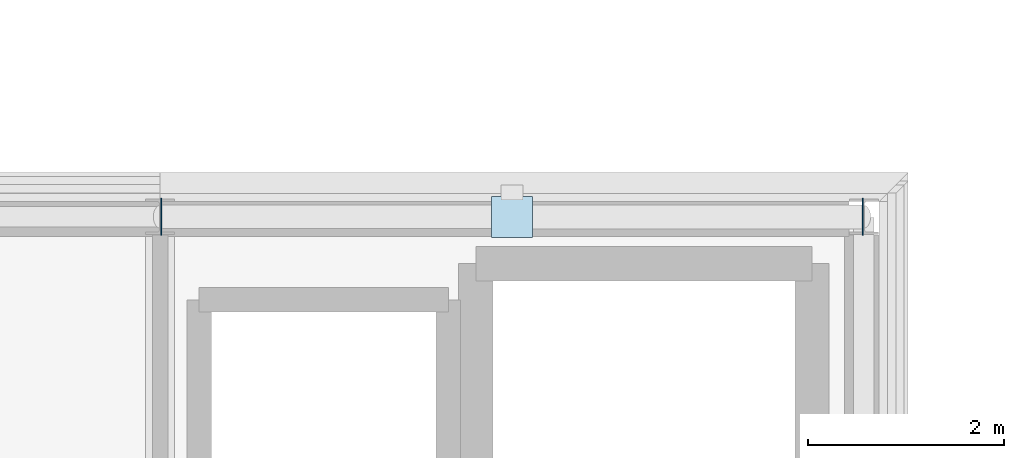
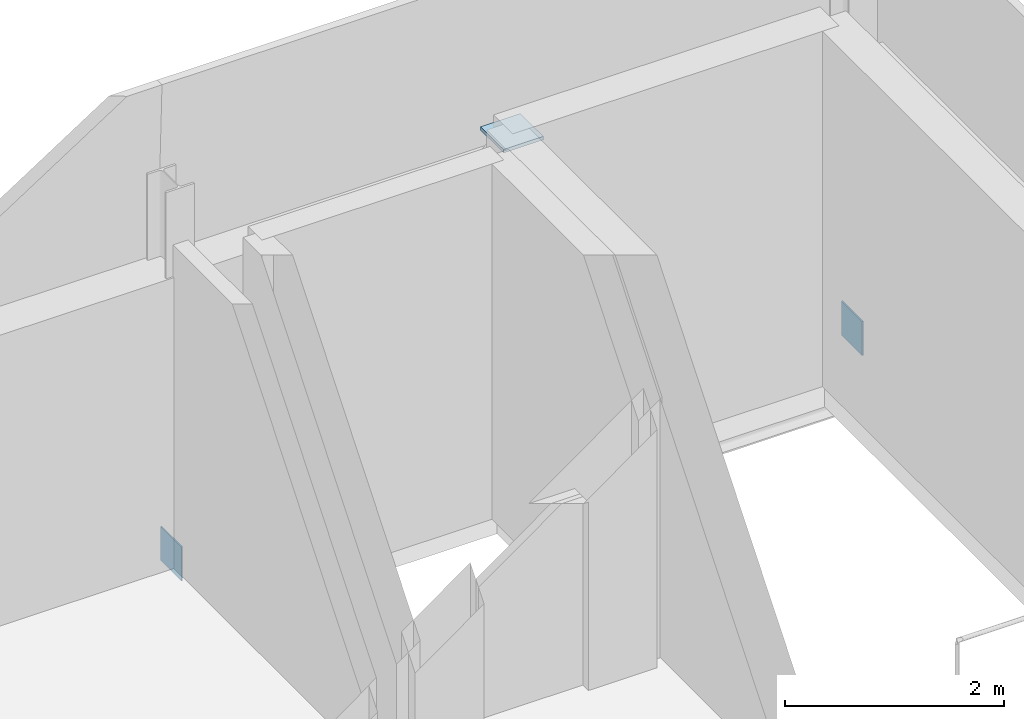
# One storey, part 53 of 91: 3 plates.
"""IFC4 building model written with IfcOpenShell, lengths in metres."""

import ifcopenshell
import ifcopenshell.guid

model = None  # the IFC model being written
_history = None  # IfcOwnerHistory: only IFC2X3 demands one
_inside = {}  # id of a spatial element -> (the spatial element, [elements in it])
_under = {}  # id of a project, library or spatial element -> (it, [spatial elements below it])
_declared = {}  # id of a project -> (the project, [libraries it declares])
_typed = {}  # id of a type object -> (the type object, [elements of that type])
_made_of = {}  # id of a material, layer set ... -> (it, [elements and type objects made of it])


def new_model(schema):
    """Start an empty IFC model of exactly this schema.

    Asked for "IFC4X3", IfcOpenShell would pick the latest addendum, in which some entities
    have other attributes; the version numbers below select the first issue.
    IFC2X3 requires an IfcOwnerHistory on every rooted entity: one is made here for all.
    """
    global model, _history
    if schema == "IFC4X3":
        model = ifcopenshell.file(schema_version=(4, 3, 0, 0))
    else:
        model = ifcopenshell.file(schema=schema)
    _inside.clear()
    _under.clear()
    _declared.clear()
    _typed.clear()
    _made_of.clear()
    _history = None
    if model.schema == "IFC2X3":
        org = make("IfcOrganization", Name="unknown")
        user = make(
            "IfcPersonAndOrganization",
            ThePerson=make("IfcPerson", FamilyName="unknown"),
            TheOrganization=org,
        )
        app = make(
            "IfcApplication",
            ApplicationDeveloper=org,
            Version="unknown",
            ApplicationFullName="unknown",
            ApplicationIdentifier="unknown",
        )
        _history = make(
            "IfcOwnerHistory",
            OwningUser=user,
            OwningApplication=app,
            ChangeAction="ADDED",
            CreationDate=0,
        )
    return model


def make(cls, **values):
    """One entity of the class cls with the attributes given. An attribute that is None is left unset."""
    return model.create_entity(
        cls, **{name: value for name, value in values.items() if value is not None}
    )


def rooted(cls, **values):
    """An entity with a GlobalId (a new one), such as an element, a storey or a relation."""
    return make(cls, GlobalId=ifcopenshell.guid.new(), OwnerHistory=_history, **values)


def si_unit(unit_type, name, prefix=None):
    """IfcSIUnit, for example si_unit("LENGTHUNIT", "METRE", prefix="MILLI")."""
    return make("IfcSIUnit", UnitType=unit_type, Prefix=prefix, Name=name)


def assignment(units):
    """IfcUnitAssignment: the units of a project."""
    return None if units is None else make("IfcUnitAssignment", Units=units)


def point(xyz):
    """IfcCartesianPoint."""
    return None if xyz is None else make("IfcCartesianPoint", Coordinates=xyz)


def direction(xyz):
    """IfcDirection."""
    return None if xyz is None else make("IfcDirection", DirectionRatios=xyz)


def frame(location, z_axis=None, x_axis=None):
    """IfcAxis2Placement3D, a coordinate frame: its origin and axes. An axis left out is left unset."""
    return make(
        "IfcAxis2Placement3D",
        Location=point(location),
        Axis=direction(z_axis),
        RefDirection=direction(x_axis),
    )


def frame_2d(location, x_axis=None):
    """IfcAxis2Placement2D, a coordinate frame in the plane: its origin and x axis."""
    return make(
        "IfcAxis2Placement2D", Location=point(location), RefDirection=direction(x_axis)
    )


def origin():
    """The frame at (0, 0, 0) with its axes left unset."""
    return frame((0.0, 0.0, 0.0))


def origin_2d():
    """The frame at (0, 0) in the plane with its x axis left unset."""
    return frame_2d((0.0, 0.0))


def place(relative_to, where):
    """IfcLocalPlacement: puts the frame where relative to a parent placement (None: the world)."""
    return make(
        "IfcLocalPlacement", PlacementRelTo=relative_to, RelativePlacement=where
    )


def context(
    kind, dimensions, precision=None, world=None, true_north=None, identifier=None
):
    """IfcGeometricRepresentationContext, for example the 3D "Model" context."""
    return make(
        "IfcGeometricRepresentationContext",
        ContextIdentifier=identifier,
        ContextType=kind,
        CoordinateSpaceDimension=dimensions,
        Precision=precision,
        WorldCoordinateSystem=world,
        TrueNorth=true_north,
    )


def subcontext(parent, identifier, kind, view, scale=None):
    """IfcGeometricRepresentationSubContext, for example "Body" below "Model"."""
    return make(
        "IfcGeometricRepresentationSubContext",
        ContextIdentifier=identifier,
        ContextType=kind,
        ParentContext=parent,
        TargetScale=scale,
        TargetView=view,
    )


def project(units=None, contexts=None):
    """IfcProject with its units and contexts."""
    return rooted(
        "IfcProject",
        Name="project",
        RepresentationContexts=contexts,
        UnitsInContext=assignment(units),
    )


def spatial(cls, under=None, at=None, **own):
    """A site, building, storey or space (cls), placed at a placement, below another one or the project."""
    s = rooted(cls, ObjectPlacement=at, **own)
    if under is not None:
        _under.setdefault(under.id(), (under, []))[1].append(s)
    return s


def profile(cls, at=None, kind="AREA", **sizes):
    """A parametric profile (cls). Its sizes go by their IFC names, for example OverallWidth=200.0."""
    return make(cls, ProfileType=kind, Position=at, **sizes)


def rectangle(**sizes):
    """IfcRectangleProfileDef."""
    return profile("IfcRectangleProfileDef", **sizes)


def extrude(swept, where, along, depth):
    """IfcExtrudedAreaSolid: the profile swept, set in the frame where, extruded along a direction by depth."""
    return make(
        "IfcExtrudedAreaSolid",
        SweptArea=swept,
        Position=where,
        ExtrudedDirection=direction(along),
        Depth=depth,
    )


def shape(context_of_items, identifier, shape_type, items):
    """IfcShapeRepresentation: the items that make up one representation, for example the "Body"."""
    return make(
        "IfcShapeRepresentation",
        ContextOfItems=context_of_items,
        RepresentationIdentifier=identifier,
        RepresentationType=shape_type,
        Items=items,
    )


def material(Name=None, Category=None):
    """IfcMaterial."""
    return make("IfcMaterial", Name=Name, Category=Category)


def layer(
    of_material, thickness, ventilated=None, Name=None, Category=None, Priority=None
):
    """IfcMaterialLayer: one layer of a wall or slab, of a material (None: an air gap)."""
    return make(
        "IfcMaterialLayer",
        Material=of_material,
        LayerThickness=thickness,
        IsVentilated=ventilated,
        Name=Name,
        Category=Category,
        Priority=Priority,
    )


def layer_set(layers, Name=None):
    """IfcMaterialLayerSet."""
    return make("IfcMaterialLayerSet", MaterialLayers=layers, LayerSetName=Name)


def made_of(thing, what):
    """Note that an element or type object is made of a material, layer set ...; save() writes the relation."""
    if what is not None:
        _made_of.setdefault(what.id(), (what, []))[1].append(thing)
    return thing


def type_object(cls, material=None, **own):
    """A type object (cls), such as IfcWallType, which elements share."""
    return made_of(rooted(cls, **own), material)


def element(
    cls,
    number,
    at=None,
    inside=None,
    cuts=None,
    type_object=None,
    material=None,
    context=None,
    identifier="Body",
    shape_type=None,
    held_by="IfcProductDefinitionShape",
    body=None,
    shapes=None,
    **own,
):
    """One element of the class cls, such as IfcWall. Its Tag is "e" and its number.

    at: its placement. inside: the storey or other place that contains it. cuts: it is an
    opening in that element (IfcRelVoidsElement). A single representation is given by context,
    identifier, shape_type and body (its items); several are given by shapes. held_by: the class
    of the entity that holds the representations. save() writes the other relations.
    """
    e = rooted(cls, Tag="e%d" % number, ObjectPlacement=at, **own)
    if body is not None:
        shapes = [shape(context, identifier, shape_type, body)]
    if shapes is not None:
        e.Representation = make(held_by, Representations=shapes)
    if inside is not None:
        _inside.setdefault(inside.id(), (inside, []))[1].append(e)
    if cuts is not None:
        rooted(
            "IfcRelVoidsElement", RelatingBuildingElement=cuts, RelatedOpeningElement=e
        )
    if type_object is not None:
        _typed.setdefault(type_object.id(), (type_object, []))[1].append(e)
    return made_of(e, material)


def aggregate(whole, parts):
    """IfcRelAggregates: a whole, such as a stair, and the parts it consists of."""
    return rooted("IfcRelAggregates", RelatingObject=whole, RelatedObjects=parts)


def save(model, path):
    """Write the relations noted so far, then the file.

    IfcRelAggregates (storeys below a building ...), IfcRelContainedInSpatialStructure (elements
    in a storey), IfcRelDefinesByType, IfcRelAssociatesMaterial and IfcRelDeclares: one each for
    every whole, place, type object, material and project.
    """
    for whole, parts in _under.values():
        aggregate(whole, parts)
    for where, things in _inside.values():
        rooted(
            "IfcRelContainedInSpatialStructure",
            RelatedElements=things,
            RelatingStructure=where,
        )
    for kind, things in _typed.values():
        rooted("IfcRelDefinesByType", RelatedObjects=things, RelatingType=kind)
    for what, things in _made_of.values():
        rooted("IfcRelAssociatesMaterial", RelatedObjects=things, RelatingMaterial=what)
    for by, libraries in _declared.values():
        rooted("IfcRelDeclares", RelatingContext=by, RelatedDefinitions=libraries)
    model.write(path)


model = new_model("IFC4")

# Units and contexts
model_context = context("Model", 3, precision=1e-05, world=origin(), true_north=direction((0.0, 1.0)))
body_context = subcontext(model_context, "Body", "Model", "MODEL_VIEW")
ifc_project = project(units=[si_unit("LENGTHUNIT", "METRE"), si_unit("AREAUNIT", "SQUARE_METRE"), si_unit("VOLUMEUNIT", "CUBIC_METRE"), si_unit("PLANEANGLEUNIT", "RADIAN"), si_unit("MASSUNIT", "GRAM", prefix="KILO")], contexts=[model_context])

# Site, building, storey
site_placement = place(None, origin())
site = spatial("IfcSite", under=ifc_project, at=site_placement, CompositionType="ELEMENT")
building_placement = place(site_placement, origin())
building = spatial("IfcBuilding", under=site, at=building_placement, Name="Narikvali Park Central Library", CompositionType="ELEMENT")
storey_placement = place(building_placement, frame((0.0, 0.0, 14.39990234375)))
storey = spatial("IfcBuildingStorey", under=building, at=storey_placement, Name="L03", CompositionType="ELEMENT", Elevation=14.39990234375)

# Plates
ifc_material = material(Name="Steel S355", Category="steel")
ifc_layer_1 = layer(ifc_material, 0.013916015625, Name="Steel S355")
ifc_layer_set_1 = layer_set([ifc_layer_1], Name="Steel S355")
plate_type_1 = type_object("IfcPlateType", Name="Steel Hollow End Cap Plate 14", PredefinedType="SHEET", material=ifc_layer_set_1)
for number, where, z_axis, x_axis, name in (
    (1, (93.612060546875, 93.60009765625, -0.177734375), (0.0, 0.0, 1.0), (-1.0, 0.0, 0.0), "Hollow Section Steel End Cap BR-ECAP-4-L03-A0"),
    (2, (100.787841796875, 93.60009765625, -0.177734375), (0.0, 0.0, 1.0), (1.0, 0.0, 0.0), "Hollow Section Steel End Cap BR-ECAP-4-L03-B0"),
):
    element("IfcPlate", number, at=place(storey_placement, frame(where, z_axis=z_axis, x_axis=x_axis)), inside=storey, type_object=plate_type_1, Name=name, PredefinedType="SHEET", context=body_context, shape_type="SweptSolid", body=[
        extrude(rectangle(XDim=0.013916015625, YDim=0.3798828125, at=origin_2d()), origin(), (0.0, 0.0, 1.0), 0.3798828125),
    ])
ifc_layer_2 = layer(ifc_material, 0.0380859375, Name="Steel S355")
ifc_layer_set_2 = layer_set([ifc_layer_2], Name="Steel S355")
plate_type_2 = type_object("IfcPlateType", Name="Truss Splice Gusset Plate 38", PredefinedType="SHEET", material=ifc_layer_set_2)
plate_placement = place(storey_placement, frame((97.199951171875, 93.60009765625, 3.421142578125), z_axis=(0.0, 0.0, 1.0), x_axis=(1.0, 0.0, 0.0)))
element("IfcPlate", 3, at=plate_placement, inside=storey, type_object=plate_type_2, Name="V1 L03 Chevron Apex Gusset Cap Plate", PredefinedType="SHEET", context=body_context, shape_type="SweptSolid", body=[
    extrude(rectangle(XDim=0.419921875, YDim=0.419921875, at=origin_2d()), origin(), (0.0, 0.0, 1.0), 0.0380859375),
])

save(model, "model.ifc")
